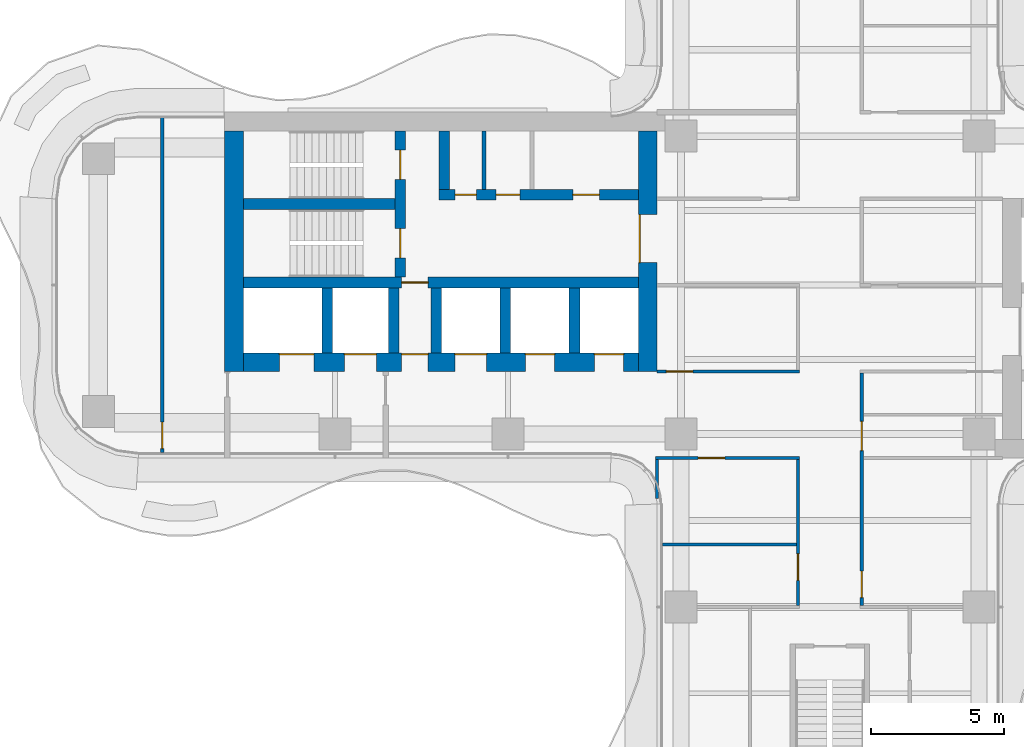
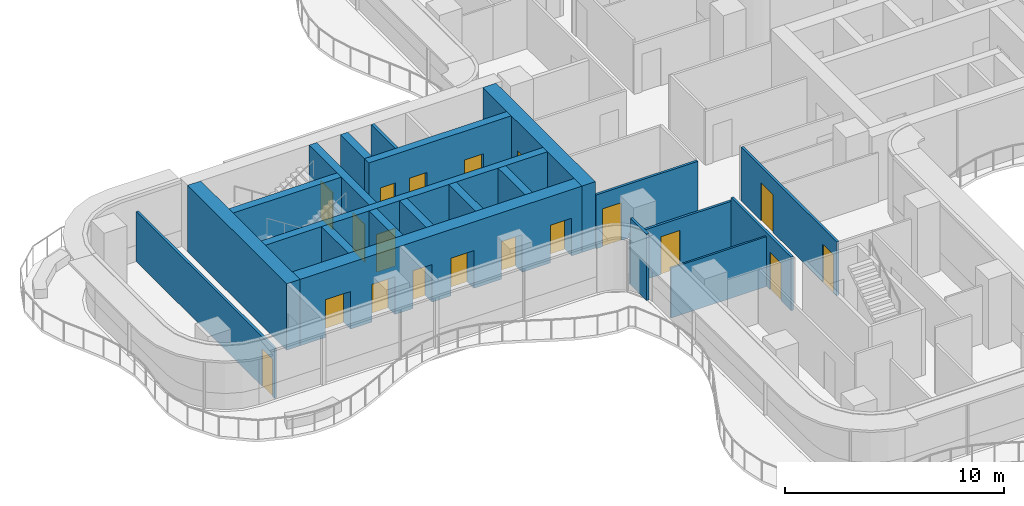
# One storey, part 12 of 17: 21 walls, 19 doors, 19 openings.
"""IFC4 building model written with IfcOpenShell, lengths in metres."""

from ifc_helpers import new_model, si_unit, direction, frame, frame_2d, origin, place, context, subcontext, project, spatial, rectangle, extrude, source, transform, mapped, material, layer, layer_set, type_object, element, fill, save


model = new_model("IFC4")

# Units and contexts
model_context = context("Model", 3, precision=1e-05, world=origin(), true_north=direction((0.0, 1.0)))
body_context = subcontext(model_context, "Body", "Model", "MODEL_VIEW")
ifc_project = project(units=[si_unit("LENGTHUNIT", "METRE"), si_unit("AREAUNIT", "SQUARE_METRE"), si_unit("VOLUMEUNIT", "CUBIC_METRE"), si_unit("PLANEANGLEUNIT", "RADIAN"), si_unit("MASSUNIT", "GRAM", prefix="KILO")], contexts=[model_context])

# Site, building, storey
site_placement = place(None, origin())
site = spatial("IfcSite", under=ifc_project, at=site_placement, CompositionType="ELEMENT")
building_placement = place(site_placement, origin())
building = spatial("IfcBuilding", under=site, at=building_placement, Name="Trellis Farm Tower", CompositionType="ELEMENT")
storey_placement = place(building_placement, frame((0.0, 0.0, 181.5)))
storey = spatial("IfcBuildingStorey", under=building, at=storey_placement, Name="L39", CompositionType="ELEMENT", Elevation=181.5)

# Wall, opening, door
ifc_material_1 = material(Name="Concrete C70/85", Category="concrete")
ifc_layer_1 = layer(ifc_material_1, 0.699951171875)
ifc_layer_set_1 = layer_set([ifc_layer_1], Name="CORE OUTER WALL 700 CONCRETE C70/85")
wall_type_1 = type_object("IfcWallType", Name="CORE OUTER WALL 700 CONCRETE C70/85", PredefinedType="SHEAR", material=ifc_layer_set_1)
shared_shape_1 = source(origin(), body_context, "Body", "SweptSolid", [
    extrude(rectangle(XDim=9.050048828125, YDim=0.699951171875, at=frame_2d((4.52490234375, 0.0))), origin(), (0.0, 0.0, 1.0), 3.699951171875),
])
wall_1_placement = place(storey_placement, frame((-6.85009765625, 5.800048828125, 0.0), z_axis=(0.0, 0.0, 1.0), x_axis=(0.0, -1.0, 0.0)))
wall_1 = element("IfcWall", 1, at=wall_1_placement, inside=storey, type_object=wall_type_1, Name="Core wall", PredefinedType="SHEAR", context=body_context, shape_type="MappedRepresentation", body=[
    mapped(shared_shape_1, transform((0.0, 0.0, 0.0))),
])
shared_shape_2 = source(origin(), body_context, "Body", "SweptSolid", [
    extrude(rectangle(XDim=1.800048828125, YDim=2.10009765625, at=frame_2d((0.89990234375, 1.050048828125))), frame((0.0, 0.360107421875, 0.0), z_axis=(0.0, -1.0, 0.0), x_axis=(1.0, 0.0, 0.0)), (0.0, 0.0, 1.0), 0.72021484375),
])
opening_1_placement = place(wall_1_placement, frame((3.14990234375, 0.0, 0.0)))
opening_1 = element("IfcOpeningElement", 2, at=opening_1_placement, cuts=wall_1, Name="Opening DC87", PredefinedType="OPENING", context=body_context, shape_type="MappedRepresentation", body=[
    mapped(shared_shape_2, transform((0.0, 0.0, 0.0))),
])
ifc_material_2 = material(Name="Steel", Category="steel")
door_type_1 = type_object("IfcDoorType", Name="CORE FIRE DOOR DOUBLE 1800 X 2100", OperationType="DOUBLE_DOOR_SINGLE_SWING", PredefinedType="DOOR", material=ifc_material_2)
shared_shape_3 = source(origin(), body_context, "Body", "SweptSolid", [
    extrude(rectangle(XDim=1.800048828125, YDim=2.10009765625, at=frame_2d((0.89990234375, 1.050048828125))), frame((0.0, -0.27490234375, 0.0), z_axis=(0.0, -1.0, 0.0), x_axis=(1.0, 0.0, 0.0)), (0.0, 0.0, 1.0), 0.050048828125),
])
door_1_placement = place(opening_1_placement, origin())
door_1 = element("IfcDoor", 3, at=door_1_placement, inside=storey, type_object=door_type_1, Name="Core door", OperationType="DOUBLE_DOOR_SINGLE_SWING", OverallHeight=2.10009765625, OverallWidth=1.800048828125, PredefinedType="DOOR", context=body_context, shape_type="MappedRepresentation", body=[
    mapped(shared_shape_3, transform((0.0, 0.0, 0.0))),
])
fill(opening_1, door_1)

# Walls
wall_2_placement = place(storey_placement, frame((-22.39990234375, 5.800048828125, 0.0), z_axis=(0.0, 0.0, 1.0), x_axis=(0.0, -1.0, 0.0)))
element("IfcWall", 4, at=wall_2_placement, inside=storey, type_object=wall_type_1, Name="Core wall", PredefinedType="SHEAR", context=body_context, shape_type="MappedRepresentation", body=[
    mapped(shared_shape_1, transform((0.0, 0.0, 0.0))),
])
ifc_layer_2 = layer(ifc_material_1, 0.39990234375)
ifc_layer_set_2 = layer_set([ifc_layer_2], Name="CORE INNER WALL 400 CONCRETE C70/85")
wall_type_2 = type_object("IfcWallType", Name="CORE INNER WALL 400 CONCRETE C70/85", PredefinedType="SHEAR", material=ifc_layer_set_2)
shared_shape_4 = source(origin(), body_context, "Body", "SweptSolid", [
    extrude(rectangle(XDim=2.449951171875, YDim=0.39990234375, at=frame_2d((1.22509765625, 0.0))), origin(), (0.0, 0.0, 1.0), 3.699951171875),
])
for number, where, z_axis, x_axis, name in (
    (5, (-9.60009765625, -0.10009765625, 0.0), (0.0, 0.0, 1.0), (0.0, -1.0, 0.0), "Core wall"),
    (6, (-12.199951171875, -0.10009765625, 0.0), (0.0, 0.0, 1.0), (0.0, -1.0, 0.0), "Core wall"),
    (7, (-14.800048828125, -0.10009765625, 0.0), (0.0, 0.0, 1.0), (0.0, -1.0, 0.0), "Core wall"),
    (8, (-16.39990234375, -0.10009765625, 0.0), (0.0, 0.0, 1.0), (0.0, -1.0, 0.0), "Core wall"),
    (9, (-18.89990234375, -0.10009765625, 0.0), (0.0, 0.0, 1.0), (0.0, -1.0, 0.0), "Core wall"),
):
    element("IfcWall", number, at=place(storey_placement, frame(where, z_axis=z_axis, x_axis=x_axis)), inside=storey, type_object=wall_type_2, Name=name, PredefinedType="SHEAR", context=body_context, shape_type="MappedRepresentation", body=[
        mapped(shared_shape_4, transform((0.0, 0.0, 0.0))),
    ])

# Wall, openings, doors
shared_shape_5 = source(origin(), body_context, "Body", "SweptSolid", [
    extrude(rectangle(XDim=14.85009765625, YDim=0.699951171875, at=frame_2d((7.425048828125, 0.0))), origin(), (0.0, 0.0, 1.0), 3.699951171875),
])
wall_3_placement = place(storey_placement, frame((-7.199951171875, -2.89990234375, 0.0), z_axis=(0.0, 0.0, 1.0), x_axis=(-1.0, 0.0, 0.0)))
wall_3 = element("IfcWall", 10, at=wall_3_placement, inside=storey, type_object=wall_type_1, Name="Core wall", PredefinedType="SHEAR", context=body_context, shape_type="MappedRepresentation", body=[
    mapped(shared_shape_5, transform((0.0, 0.0, 0.0))),
])
shared_shape_6 = source(origin(), body_context, "Body", "SweptSolid", [
    extrude(rectangle(XDim=1.10009765625, YDim=2.10009765625, at=frame_2d((0.550048828125, 1.050048828125))), frame((0.0, 0.360107421875, 0.0), z_axis=(0.0, -1.0, 0.0), x_axis=(1.0, 0.0, 0.0)), (0.0, 0.0, 1.0), 0.72021484375),
])
opening_2_placement = place(wall_3_placement, frame((0.550048828125, 0.0, 0.0)))
opening_2 = element("IfcOpeningElement", 11, at=opening_2_placement, cuts=wall_3, Name="Opening LD12", PredefinedType="OPENING", context=body_context, shape_type="MappedRepresentation", body=[
    mapped(shared_shape_6, transform((0.0, 0.0, 0.0))),
])
opening_3_placement = place(wall_3_placement, frame((3.14990234375, 0.0, 0.0)))
opening_3 = element("IfcOpeningElement", 12, at=opening_3_placement, cuts=wall_3, Name="Opening LD13", PredefinedType="OPENING", context=body_context, shape_type="MappedRepresentation", body=[
    mapped(shared_shape_6, transform((0.0, 0.0, 0.0))),
])
shared_shape_7 = source(origin(), body_context, "Body", "SweptSolid", [
    extrude(rectangle(XDim=1.199951171875, YDim=2.10009765625, at=frame_2d((0.60009765625, 1.050048828125))), frame((0.0, 0.360107421875, 0.0), z_axis=(0.0, -1.0, 0.0), x_axis=(1.0, 0.0, 0.0)), (0.0, 0.0, 1.0), 0.72021484375),
])
opening_4_placement = place(wall_3_placement, frame((5.699951171875, 0.0, 0.0)))
opening_4 = element("IfcOpeningElement", 13, at=opening_4_placement, cuts=wall_3, Name="Opening LD14", PredefinedType="OPENING", context=body_context, shape_type="MappedRepresentation", body=[
    mapped(shared_shape_7, transform((0.0, 0.0, 0.0))),
])
shared_shape_8 = source(origin(), body_context, "Body", "SweptSolid", [
    extrude(rectangle(XDim=1.300048828125, YDim=2.10009765625, at=frame_2d((0.64990234375, 1.050048828125))), frame((0.0, 0.360107421875, 0.0), z_axis=(0.0, -1.0, 0.0), x_axis=(1.0, 0.0, 0.0)), (0.0, 0.0, 1.0), 0.72021484375),
])
opening_5_placement = place(wall_3_placement, frame((12.199951171875, 0.0, 0.0)))
opening_5 = element("IfcOpeningElement", 14, at=opening_5_placement, cuts=wall_3, Name="Opening LD15", PredefinedType="OPENING", context=body_context, shape_type="MappedRepresentation", body=[
    mapped(shared_shape_8, transform((0.0, 0.0, 0.0))),
])
opening_6_placement = place(wall_3_placement, frame((9.85009765625, 0.0, 0.0)))
opening_6 = element("IfcOpeningElement", 15, at=opening_6_placement, cuts=wall_3, Name="Opening LD16", PredefinedType="OPENING", context=body_context, shape_type="MappedRepresentation", body=[
    mapped(shared_shape_7, transform((0.0, 0.0, 0.0))),
])
shared_shape_9 = source(origin(), body_context, "Body", "SweptSolid", [
    extrude(rectangle(XDim=1.0, YDim=2.10009765625, at=frame_2d((0.5, 1.050048828125))), frame((0.0, 0.360107421875, 0.0), z_axis=(0.0, -1.0, 0.0), x_axis=(1.0, 0.0, 0.0)), (0.0, 0.0, 1.0), 0.72021484375),
])
opening_7_placement = place(wall_3_placement, frame((7.89990234375, 0.0, 0.0)))
opening_7 = element("IfcOpeningElement", 16, at=opening_7_placement, cuts=wall_3, Name="Opening DC92", PredefinedType="OPENING", context=body_context, shape_type="MappedRepresentation", body=[
    mapped(shared_shape_9, transform((0.0, 0.0, 0.0))),
])
door_type_2 = type_object("IfcDoorType", Name="CORE FIRE DOOR 1000 X 2100", OperationType="NOTDEFINED", PredefinedType="DOOR", material=ifc_material_2)
shared_shape_10 = source(origin(), body_context, "Body", "SweptSolid", [
    extrude(rectangle(XDim=1.0, YDim=2.10009765625, at=frame_2d((0.5, 1.050048828125))), frame((0.0, -0.27490234375, 0.0), z_axis=(0.0, -1.0, 0.0), x_axis=(1.0, 0.0, 0.0)), (0.0, 0.0, 1.0), 0.050048828125),
])
door_2_placement = place(opening_7_placement, origin())
door_2 = element("IfcDoor", 17, at=door_2_placement, inside=storey, type_object=door_type_2, Name="Core door", OperationType="SINGLE_SWING_LEFT", OverallHeight=2.10009765625, OverallWidth=1.0, PredefinedType="DOOR", context=body_context, shape_type="MappedRepresentation", body=[
    mapped(shared_shape_10, transform((0.0, 0.0, 0.0))),
])
fill(opening_7, door_2)
ifc_material_3 = material(Name="Stainless steel", Category="steel")
door_type_3 = type_object("IfcDoorType", Name="LIFT LANDING DOOR 1300 X 2100", OperationType="DOUBLE_DOOR_SLIDING", PredefinedType="DOOR", material=ifc_material_3)
shared_shape_11 = source(origin(), body_context, "Body", "SweptSolid", [
    extrude(rectangle(XDim=1.300048828125, YDim=2.10009765625, at=frame_2d((0.64990234375, 1.050048828125))), frame((0.0, -0.27490234375, 0.0), z_axis=(0.0, -1.0, 0.0), x_axis=(1.0, 0.0, 0.0)), (0.0, 0.0, 1.0), 0.050048828125),
])
door_3_placement = place(opening_5_placement, origin())
door_3 = element("IfcDoor", 18, at=door_3_placement, inside=storey, type_object=door_type_3, Name="Lift landing door", OperationType="DOUBLE_DOOR_SLIDING", OverallHeight=2.10009765625, OverallWidth=1.300048828125, PredefinedType="DOOR", context=body_context, shape_type="MappedRepresentation", body=[
    mapped(shared_shape_11, transform((0.0, 0.0, 0.0))),
])
fill(opening_5, door_3)
door_type_4 = type_object("IfcDoorType", Name="LIFT LANDING DOOR 1200 X 2100", OperationType="DOUBLE_DOOR_SLIDING", PredefinedType="DOOR", material=ifc_material_3)
shared_shape_12 = source(origin(), body_context, "Body", "SweptSolid", [
    extrude(rectangle(XDim=1.199951171875, YDim=2.10009765625, at=frame_2d((0.60009765625, 1.050048828125))), frame((0.0, -0.27490234375, 0.0), z_axis=(0.0, -1.0, 0.0), x_axis=(1.0, 0.0, 0.0)), (0.0, 0.0, 1.0), 0.050048828125),
])
door_4_placement = place(opening_4_placement, origin())
door_4 = element("IfcDoor", 19, at=door_4_placement, inside=storey, type_object=door_type_4, Name="Lift landing door", OperationType="DOUBLE_DOOR_SLIDING", OverallHeight=2.10009765625, OverallWidth=1.199951171875, PredefinedType="DOOR", context=body_context, shape_type="MappedRepresentation", body=[
    mapped(shared_shape_12, transform((0.0, 0.0, 0.0))),
])
fill(opening_4, door_4)
door_5_placement = place(opening_6_placement, origin())
door_5 = element("IfcDoor", 20, at=door_5_placement, inside=storey, type_object=door_type_4, Name="Lift landing door", OperationType="DOUBLE_DOOR_SLIDING", OverallHeight=2.10009765625, OverallWidth=1.199951171875, PredefinedType="DOOR", context=body_context, shape_type="MappedRepresentation", body=[
    mapped(shared_shape_12, transform((0.0, 0.0, 0.0))),
])
fill(opening_6, door_5)
door_type_5 = type_object("IfcDoorType", Name="LIFT LANDING DOOR 1100 X 2100", OperationType="DOUBLE_DOOR_SLIDING", PredefinedType="DOOR", material=ifc_material_3)
shared_shape_13 = source(origin(), body_context, "Body", "SweptSolid", [
    extrude(rectangle(XDim=1.10009765625, YDim=2.10009765625, at=frame_2d((0.550048828125, 1.050048828125))), frame((0.0, -0.27490234375, 0.0), z_axis=(0.0, -1.0, 0.0), x_axis=(1.0, 0.0, 0.0)), (0.0, 0.0, 1.0), 0.050048828125),
])
door_6_placement = place(opening_2_placement, origin())
door_6 = element("IfcDoor", 21, at=door_6_placement, inside=storey, type_object=door_type_5, Name="Lift landing door", OperationType="DOUBLE_DOOR_SLIDING", OverallHeight=2.10009765625, OverallWidth=1.10009765625, PredefinedType="DOOR", context=body_context, shape_type="MappedRepresentation", body=[
    mapped(shared_shape_13, transform((0.0, 0.0, 0.0))),
])
fill(opening_2, door_6)
door_7_placement = place(opening_3_placement, origin())
door_7 = element("IfcDoor", 22, at=door_7_placement, inside=storey, type_object=door_type_5, Name="Lift landing door", OperationType="DOUBLE_DOOR_SLIDING", OverallHeight=2.10009765625, OverallWidth=1.10009765625, PredefinedType="DOOR", context=body_context, shape_type="MappedRepresentation", body=[
    mapped(shared_shape_13, transform((0.0, 0.0, 0.0))),
])
fill(opening_3, door_7)

shared_shape_14 = source(origin(), body_context, "Body", "SweptSolid", [
    extrude(rectangle(XDim=7.5, YDim=0.39990234375, at=frame_2d((3.75, 0.0))), origin(), (0.0, 0.0, 1.0), 3.699951171875),
])
wall_4_placement = place(storey_placement, frame((-7.199951171875, 3.39990234375, 0.0), z_axis=(0.0, 0.0, 1.0), x_axis=(-1.0, 0.0, 0.0)))
wall_4 = element("IfcWall", 23, at=wall_4_placement, inside=storey, type_object=wall_type_2, Name="Core wall", PredefinedType="SHEAR", context=body_context, shape_type="MappedRepresentation", body=[
    mapped(shared_shape_14, transform((0.0, 0.0, 0.0))),
])
shared_shape_15 = source(origin(), body_context, "Body", "SweptSolid", [
    extrude(rectangle(XDim=1.0, YDim=2.10009765625, at=frame_2d((0.5, 1.050048828125))), frame((0.0, 0.2099609375, 0.0), z_axis=(0.0, -1.0, 0.0), x_axis=(1.0, 0.0, 0.0)), (0.0, 0.0, 1.0), 0.419921875),
])
opening_8_placement = place(wall_4_placement, frame((1.46240234375, 0.0, 0.0)))
opening_8 = element("IfcOpeningElement", 24, at=opening_8_placement, cuts=wall_4, Name="Opening DC141", PredefinedType="OPENING", context=body_context, shape_type="MappedRepresentation", body=[
    mapped(shared_shape_15, transform((0.0, 0.0, 0.0))),
])
shared_shape_16 = source(origin(), body_context, "Body", "SweptSolid", [
    extrude(rectangle(XDim=0.89990234375, YDim=2.10009765625, at=frame_2d((0.449951171875, 1.050048828125))), frame((0.0, 0.2099609375, 0.0), z_axis=(0.0, -1.0, 0.0), x_axis=(1.0, 0.0, 0.0)), (0.0, 0.0, 1.0), 0.419921875),
])
opening_9_placement = place(wall_4_placement, frame((4.449951171875, 0.0, 0.0)))
opening_9 = element("IfcOpeningElement", 25, at=opening_9_placement, cuts=wall_4, Name="Opening DC146", PredefinedType="OPENING", context=body_context, shape_type="MappedRepresentation", body=[
    mapped(shared_shape_16, transform((0.0, 0.0, 0.0))),
])
shared_shape_17 = source(origin(), body_context, "Body", "SweptSolid", [
    extrude(rectangle(XDim=0.800048828125, YDim=2.10009765625, at=frame_2d((0.39990234375, 1.050048828125))), frame((0.0, 0.2099609375, 0.0), z_axis=(0.0, -1.0, 0.0), x_axis=(1.0, 0.0, 0.0)), (0.0, 0.0, 1.0), 0.419921875),
])
opening_10_placement = place(wall_4_placement, frame((6.08740234375, 0.0, 0.0)))
opening_10 = element("IfcOpeningElement", 26, at=opening_10_placement, cuts=wall_4, Name="Opening DC149", PredefinedType="OPENING", context=body_context, shape_type="MappedRepresentation", body=[
    mapped(shared_shape_17, transform((0.0, 0.0, 0.0))),
])
shared_shape_18 = source(origin(), body_context, "Body", "SweptSolid", [
    extrude(rectangle(XDim=1.0, YDim=2.10009765625, at=frame_2d((0.5, 1.050048828125))), frame((0.0, 0.02490234375, 0.0), z_axis=(0.0, -1.0, 0.0), x_axis=(1.0, 0.0, 0.0)), (0.0, 0.0, 1.0), 0.050048828125),
])
door_8_placement = place(opening_8_placement, origin())
door_8 = element("IfcDoor", 27, at=door_8_placement, inside=storey, type_object=door_type_2, Name="Core door", OperationType="SINGLE_SWING_LEFT", OverallHeight=2.10009765625, OverallWidth=1.0, PredefinedType="DOOR", context=body_context, shape_type="MappedRepresentation", body=[
    mapped(shared_shape_18, transform((0.0, 0.0, 0.0))),
])
fill(opening_8, door_8)
door_type_6 = type_object("IfcDoorType", Name="CORE FIRE DOOR 900 X 2100", OperationType="NOTDEFINED", PredefinedType="DOOR", material=ifc_material_2)
shared_shape_19 = source(origin(), body_context, "Body", "SweptSolid", [
    extrude(rectangle(XDim=0.89990234375, YDim=2.10009765625, at=frame_2d((0.449951171875, 1.050048828125))), frame((0.0, 0.02490234375, 0.0), z_axis=(0.0, -1.0, 0.0), x_axis=(1.0, 0.0, 0.0)), (0.0, 0.0, 1.0), 0.050048828125),
])
door_9_placement = place(opening_9_placement, origin())
door_9 = element("IfcDoor", 28, at=door_9_placement, inside=storey, type_object=door_type_6, Name="Core door", OperationType="SINGLE_SWING_RIGHT", OverallHeight=2.10009765625, OverallWidth=0.89990234375, PredefinedType="DOOR", context=body_context, shape_type="MappedRepresentation", body=[
    mapped(shared_shape_19, transform((0.0, 0.0, 0.0))),
])
fill(opening_9, door_9)
door_type_7 = type_object("IfcDoorType", Name="CORE FIRE DOOR 800 X 2100", OperationType="NOTDEFINED", PredefinedType="DOOR", material=ifc_material_2)
shared_shape_20 = source(origin(), body_context, "Body", "SweptSolid", [
    extrude(rectangle(XDim=0.800048828125, YDim=2.10009765625, at=frame_2d((0.39990234375, 1.050048828125))), frame((0.0, 0.02490234375, 0.0), z_axis=(0.0, -1.0, 0.0), x_axis=(1.0, 0.0, 0.0)), (0.0, 0.0, 1.0), 0.050048828125),
])
door_10_placement = place(opening_10_placement, origin())
door_10 = element("IfcDoor", 29, at=door_10_placement, inside=storey, type_object=door_type_7, Name="Core door", OperationType="SINGLE_SWING_LEFT", OverallHeight=2.10009765625, OverallWidth=0.800048828125, PredefinedType="DOOR", context=body_context, shape_type="MappedRepresentation", body=[
    mapped(shared_shape_20, transform((0.0, 0.0, 0.0))),
])
fill(opening_10, door_10)

# Wall, opening, door
shared_shape_21 = source(origin(), body_context, "Body", "SweptSolid", [
    extrude(rectangle(XDim=14.85009765625, YDim=0.39990234375, at=frame_2d((7.425048828125, 0.0))), origin(), (0.0, 0.0, 1.0), 3.699951171875),
])
wall_5_placement = place(storey_placement, frame((-7.199951171875, 0.10009765625, 0.0), z_axis=(0.0, 0.0, 1.0), x_axis=(-1.0, 0.0, 0.0)))
wall_5 = element("IfcWall", 30, at=wall_5_placement, inside=storey, type_object=wall_type_2, Name="Core wall", PredefinedType="SHEAR", context=body_context, shape_type="MappedRepresentation", body=[
    mapped(shared_shape_21, transform((0.0, 0.0, 0.0))),
])
opening_11_placement = place(wall_5_placement, frame((7.89990234375, 0.0, 0.0)))
opening_11 = element("IfcOpeningElement", 31, at=opening_11_placement, cuts=wall_5, Name="Opening DC91", PredefinedType="OPENING", context=body_context, shape_type="MappedRepresentation", body=[
    mapped(shared_shape_15, transform((0.0, 0.0, 0.0))),
])
door_11_placement = place(opening_11_placement, origin())
door_11 = element("IfcDoor", 32, at=door_11_placement, inside=storey, type_object=door_type_2, Name="Core door", OperationType="SINGLE_SWING_RIGHT", OverallHeight=2.10009765625, OverallWidth=1.0, PredefinedType="DOOR", context=body_context, shape_type="MappedRepresentation", body=[
    mapped(shared_shape_18, transform((0.0, 0.0, 0.0))),
])
fill(opening_11, door_11)

# Wall, openings, doors
shared_shape_22 = source(origin(), body_context, "Body", "SweptSolid", [
    extrude(rectangle(XDim=5.5, YDim=0.39990234375, at=frame_2d((2.75, 0.0))), origin(), (0.0, 0.0, 1.0), 3.699951171875),
])
wall_6_placement = place(storey_placement, frame((-16.14990234375, 5.800048828125, 0.0), z_axis=(0.0, 0.0, 1.0), x_axis=(0.0, -1.0, 0.0)))
wall_6 = element("IfcWall", 33, at=wall_6_placement, inside=storey, type_object=wall_type_2, Name="Core wall", PredefinedType="SHEAR", context=body_context, shape_type="MappedRepresentation", body=[
    mapped(shared_shape_22, transform((0.0, 0.0, 0.0))),
])
shared_shape_23 = source(origin(), body_context, "Body", "SweptSolid", [
    extrude(rectangle(XDim=1.10009765625, YDim=2.10009765625, at=frame_2d((0.550048828125, 1.050048828125))), frame((0.0, 0.2099609375, 0.0), z_axis=(0.0, -1.0, 0.0), x_axis=(1.0, 0.0, 0.0)), (0.0, 0.0, 1.0), 0.419921875),
])
opening_12_placement = place(wall_6_placement, frame((0.72509765625, 0.0, 0.0)))
opening_12 = element("IfcOpeningElement", 34, at=opening_12_placement, cuts=wall_6, Name="Opening DC88", PredefinedType="OPENING", context=body_context, shape_type="MappedRepresentation", body=[
    mapped(shared_shape_23, transform((0.0, 0.0, 0.0))),
])
opening_13_placement = place(wall_6_placement, frame((3.675048828125, 0.0, 0.0)))
opening_13 = element("IfcOpeningElement", 35, at=opening_13_placement, cuts=wall_6, Name="Opening DC89", PredefinedType="OPENING", context=body_context, shape_type="MappedRepresentation", body=[
    mapped(shared_shape_23, transform((0.0, 0.0, 0.0))),
])
door_type_8 = type_object("IfcDoorType", Name="CORE FIRE DOOR 1100 X 2100", OperationType="NOTDEFINED", PredefinedType="DOOR", material=ifc_material_2)
shared_shape_24 = source(origin(), body_context, "Body", "SweptSolid", [
    extrude(rectangle(XDim=1.10009765625, YDim=2.10009765625, at=frame_2d((0.550048828125, 1.050048828125))), frame((0.0, 0.02490234375, 0.0), z_axis=(0.0, -1.0, 0.0), x_axis=(1.0, 0.0, 0.0)), (0.0, 0.0, 1.0), 0.050048828125),
])
door_12_placement = place(opening_12_placement, origin())
door_12 = element("IfcDoor", 36, at=door_12_placement, inside=storey, type_object=door_type_8, Name="Core door", OperationType="SINGLE_SWING_RIGHT", OverallHeight=2.10009765625, OverallWidth=1.10009765625, PredefinedType="DOOR", context=body_context, shape_type="MappedRepresentation", body=[
    mapped(shared_shape_24, transform((0.0, 0.0, 0.0))),
])
fill(opening_12, door_12)
door_13_placement = place(opening_13_placement, origin())
door_13 = element("IfcDoor", 37, at=door_13_placement, inside=storey, type_object=door_type_8, Name="Core door", OperationType="SINGLE_SWING_LEFT", OverallHeight=2.10009765625, OverallWidth=1.10009765625, PredefinedType="DOOR", context=body_context, shape_type="MappedRepresentation", body=[
    mapped(shared_shape_24, transform((0.0, 0.0, 0.0))),
])
fill(opening_13, door_13)

# Walls
shared_shape_25 = source(origin(), body_context, "Body", "SweptSolid", [
    extrude(rectangle(XDim=5.699951171875, YDim=0.39990234375, at=frame_2d((2.85009765625, 0.0))), origin(), (0.0, 0.0, 1.0), 3.699951171875),
])
wall_7_placement = place(storey_placement, frame((-16.35009765625, 3.050048828125, 0.0), z_axis=(0.0, 0.0, 1.0), x_axis=(-1.0, 0.0, 0.0)))
element("IfcWall", 38, at=wall_7_placement, inside=storey, type_object=wall_type_2, Name="Core wall", PredefinedType="SHEAR", context=body_context, shape_type="MappedRepresentation", body=[
    mapped(shared_shape_25, transform((0.0, 0.0, 0.0))),
])
shared_shape_26 = source(origin(), body_context, "Body", "SweptSolid", [
    extrude(rectangle(XDim=2.199951171875, YDim=0.39990234375, at=frame_2d((1.10009765625, 0.0))), origin(), (0.0, 0.0, 1.0), 3.699951171875),
])
wall_8_placement = place(storey_placement, frame((-14.5, 5.800048828125, 0.0), z_axis=(0.0, 0.0, 1.0), x_axis=(0.0, -1.0, 0.0)))
element("IfcWall", 39, at=wall_8_placement, inside=storey, type_object=wall_type_2, Name="Core wall", PredefinedType="SHEAR", context=body_context, shape_type="MappedRepresentation", body=[
    mapped(shared_shape_26, transform((0.0, 0.0, 0.0))),
])
ifc_material_4 = material(Name="Masonry blockwork", Category="masonry")
ifc_layer_3 = layer(ifc_material_4, 0.14990234375)
ifc_layer_set_3 = layer_set([ifc_layer_3], Name="CORE PARTITION 150 BLOCKWORK")
wall_type_3 = type_object("IfcWallType", Name="CORE PARTITION 150 BLOCKWORK", PredefinedType="PARTITIONING", material=ifc_layer_set_3)
shared_shape_27 = source(origin(), body_context, "Body", "SweptSolid", [
    extrude(rectangle(XDim=2.199951171875, YDim=0.14990234375, at=frame_2d((1.10009765625, 0.0))), origin(), (0.0, 0.0, 1.0), 3.699951171875),
])
wall_9_placement = place(storey_placement, frame((-13.0, 5.800048828125, 0.0), z_axis=(0.0, 0.0, 1.0), x_axis=(0.0, -1.0, 0.0)))
element("IfcWall", 40, at=wall_9_placement, inside=storey, type_object=wall_type_3, Name="Core room partition", PredefinedType="PARTITIONING", context=body_context, shape_type="MappedRepresentation", body=[
    mapped(shared_shape_27, transform((0.0, 0.0, 0.0))),
])

# Wall, opening, door
ifc_material_5 = material(Name="Plasterboard on steel studs, mineral wool", Category="steel")
ifc_layer_4 = layer(ifc_material_5, 0.125)
ifc_layer_set_4 = layer_set([ifc_layer_4], Name="PARTITION 125 STUD EI 60")
wall_type_4 = type_object("IfcWallType", Name="PARTITION 125 STUD EI 60", PredefinedType="PARTITIONING", material=ifc_layer_set_4)
shared_shape_28 = source(origin(), body_context, "Body", "SweptSolid", [
    extrude(rectangle(XDim=5.47509765625, YDim=0.125, at=frame_2d((2.737548828125, 0.0))), origin(), (0.0, 0.0, 1.0), 2.99658203125),
])
wall_10_placement = place(storey_placement, frame((-1.199951171875, -6.5625, 0.0), z_axis=(0.0, 0.0, 1.0), x_axis=(0.0, -1.0, 0.0)))
wall_10 = element("IfcWall", 41, at=wall_10_placement, inside=storey, type_object=wall_type_4, Name="Partition PW1", PredefinedType="PARTITIONING", context=body_context, shape_type="MappedRepresentation", body=[
    mapped(shared_shape_28, transform((0.0, 0.0, 0.0))),
])
shared_shape_29 = source(origin(), body_context, "Body", "SweptSolid", [
    extrude(rectangle(XDim=1.0, YDim=2.10009765625, at=frame_2d((0.5, 1.050048828125))), frame((0.0, 0.072509765625, 0.0), z_axis=(0.0, -1.0, 0.0), x_axis=(1.0, 0.0, 0.0)), (0.0, 0.0, 1.0), 0.14501953125),
])
opening_14_placement = place(wall_10_placement, frame((3.53759765625, 0.0, 0.0)))
opening_14 = element("IfcOpeningElement", 42, at=opening_14_placement, cuts=wall_10, Name="Opening D105", PredefinedType="OPENING", context=body_context, shape_type="MappedRepresentation", body=[
    mapped(shared_shape_29, transform((0.0, 0.0, 0.0))),
])
ifc_material_6 = material(Name="Fire-rated timber door leaf in a hollow metal frame", Category="wood")
door_type_9 = type_object("IfcDoorType", Name="DOOR 1000x2100 FD30S", OperationType="NOTDEFINED", PredefinedType="DOOR", material=ifc_material_6)
door_14_placement = place(opening_14_placement, origin())
door_14 = element("IfcDoor", 43, at=door_14_placement, inside=storey, type_object=door_type_9, Name="Door D105", OperationType="SINGLE_SWING_LEFT", OverallHeight=2.10009765625, OverallWidth=1.0, PredefinedType="DOOR", context=body_context, shape_type="MappedRepresentation", body=[
    mapped(shared_shape_18, transform((0.0, 0.0, 0.0))),
])
fill(opening_14, door_14)

# Wall
shared_shape_30 = source(origin(), body_context, "Body", "SweptSolid", [
    extrude(rectangle(XDim=1.468994140625, YDim=0.125, at=frame_2d((0.734375, 0.0))), origin(), (0.0, 0.0, 1.0), 3.699951171875),
])
wall_11_placement = place(storey_placement, frame((-6.5, -6.5625, 0.0), z_axis=(0.0, 0.0, 1.0), x_axis=(0.0, -1.0, 0.0)))
element("IfcWall", 44, at=wall_11_placement, inside=storey, type_object=wall_type_4, Name="Partition PW1", PredefinedType="PARTITIONING", context=body_context, shape_type="MappedRepresentation", body=[
    mapped(shared_shape_30, transform((0.0, 0.0, 0.0))),
])

# Wall, opening, door
shared_shape_31 = source(origin(), body_context, "Body", "SweptSolid", [
    extrude(rectangle(XDim=12.60009765625, YDim=0.125, at=frame_2d((6.300048828125, 0.0))), origin(), (0.0, 0.0, 1.0), 2.780029296875),
])
wall_12_placement = place(storey_placement, frame((-25.10009765625, -6.300048828125, 0.0), z_axis=(0.0, 0.0, 1.0), x_axis=(0.0, 1.0, 0.0)))
wall_12 = element("IfcWall", 45, at=wall_12_placement, inside=storey, type_object=wall_type_4, Name="Partition PW1", PredefinedType="PARTITIONING", context=body_context, shape_type="MappedRepresentation", body=[
    mapped(shared_shape_31, transform((0.0, 0.0, 0.0))),
])
opening_15_placement = place(wall_12_placement, frame((0.14990234375, 0.0, 0.0)))
opening_15 = element("IfcOpeningElement", 46, at=opening_15_placement, cuts=wall_12, Name="Opening D107", PredefinedType="OPENING", context=body_context, shape_type="MappedRepresentation", body=[
    mapped(shared_shape_29, transform((0.0, 0.0, 0.0))),
])
door_15_placement = place(opening_15_placement, origin())
door_15 = element("IfcDoor", 47, at=door_15_placement, inside=storey, type_object=door_type_9, Name="Door D107", OperationType="SINGLE_SWING_LEFT", OverallHeight=2.10009765625, OverallWidth=1.0, PredefinedType="DOOR", context=body_context, shape_type="MappedRepresentation", body=[
    mapped(shared_shape_18, transform((0.0, 0.0, 0.0))),
])
fill(opening_15, door_15)

shared_shape_32 = source(origin(), body_context, "Body", "SweptSolid", [
    extrude(rectangle(XDim=5.362548828125, YDim=0.125, at=frame_2d((2.68115234375, 0.0))), origin(), (0.0, 0.0, 1.0), 2.99658203125),
])
wall_13_placement = place(storey_placement, frame((-1.137451171875, -3.25, 0.0), z_axis=(0.0, 0.0, 1.0), x_axis=(-1.0, 0.0, 0.0)))
wall_13 = element("IfcWall", 48, at=wall_13_placement, inside=storey, type_object=wall_type_4, Name="Partition PW1", PredefinedType="PARTITIONING", context=body_context, shape_type="MappedRepresentation", body=[
    mapped(shared_shape_32, transform((0.0, 0.0, 0.0))),
])
opening_16_placement = place(wall_13_placement, frame((4.012451171875, 0.0, 0.0)))
opening_16 = element("IfcOpeningElement", 49, at=opening_16_placement, cuts=wall_13, Name="Opening D109", PredefinedType="OPENING", context=body_context, shape_type="MappedRepresentation", body=[
    mapped(shared_shape_29, transform((0.0, 0.0, 0.0))),
])
door_16_placement = place(opening_16_placement, origin())
door_16 = element("IfcDoor", 50, at=door_16_placement, inside=storey, type_object=door_type_9, Name="Door D109", OperationType="SINGLE_SWING_RIGHT", OverallHeight=2.10009765625, OverallWidth=1.0, PredefinedType="DOOR", context=body_context, shape_type="MappedRepresentation", body=[
    mapped(shared_shape_18, transform((0.0, 0.0, 0.0))),
])
fill(opening_16, door_16)

# Wall, openings, doors
shared_shape_33 = source(origin(), body_context, "Body", "SweptSolid", [
    extrude(rectangle(XDim=8.72509765625, YDim=0.125, at=frame_2d((4.362548828125, 0.0))), origin(), (0.0, 0.0, 1.0), 2.99658203125),
])
wall_14_placement = place(storey_placement, frame((1.199951171875, -3.3125, 0.0), z_axis=(0.0, 0.0, 1.0), x_axis=(0.0, -1.0, 0.0)))
wall_14 = element("IfcWall", 51, at=wall_14_placement, inside=storey, type_object=wall_type_4, Name="Partition PW1", PredefinedType="PARTITIONING", context=body_context, shape_type="MappedRepresentation", body=[
    mapped(shared_shape_33, transform((0.0, 0.0, 0.0))),
])
opening_17_placement = place(wall_14_placement, frame((7.4375, 0.0, 0.0)))
opening_17 = element("IfcOpeningElement", 52, at=opening_17_placement, cuts=wall_14, Name="Opening D104", PredefinedType="OPENING", context=body_context, shape_type="MappedRepresentation", body=[
    mapped(shared_shape_29, transform((0.0, 0.0, 0.0))),
])
shared_shape_34 = source(origin(), body_context, "Body", "SweptSolid", [
    extrude(rectangle(XDim=1.10009765625, YDim=2.10009765625, at=frame_2d((0.550048828125, 1.050048828125))), frame((0.0, 0.072509765625, 0.0), z_axis=(0.0, -1.0, 0.0), x_axis=(1.0, 0.0, 0.0)), (0.0, 0.0, 1.0), 0.14501953125),
])
opening_18_placement = place(wall_14_placement, frame((1.8125, 0.0, 0.0)))
opening_18 = element("IfcOpeningElement", 53, at=opening_18_placement, cuts=wall_14, Name="Opening D501", PredefinedType="OPENING", context=body_context, shape_type="MappedRepresentation", body=[
    mapped(shared_shape_34, transform((0.0, 0.0, 0.0))),
])
door_type_10 = type_object("IfcDoorType", Name="DOOR 1100x2100 FD30S", OperationType="NOTDEFINED", PredefinedType="DOOR", material=ifc_material_6)
door_17_placement = place(opening_18_placement, origin())
door_17 = element("IfcDoor", 54, at=door_17_placement, inside=storey, type_object=door_type_10, Name="Door D501", OperationType="SINGLE_SWING_LEFT", OverallHeight=2.10009765625, OverallWidth=1.10009765625, PredefinedType="DOOR", context=body_context, shape_type="MappedRepresentation", body=[
    mapped(shared_shape_24, transform((0.0, 0.0, 0.0))),
])
fill(opening_18, door_17)
door_18_placement = place(opening_17_placement, origin())
door_18 = element("IfcDoor", 55, at=door_18_placement, inside=storey, type_object=door_type_9, Name="Door D104", OperationType="SINGLE_SWING_RIGHT", OverallHeight=2.10009765625, OverallWidth=1.0, PredefinedType="DOOR", context=body_context, shape_type="MappedRepresentation", body=[
    mapped(shared_shape_18, transform((0.0, 0.0, 0.0))),
])
fill(opening_17, door_18)

# Wall, opening, door
shared_shape_35 = source(origin(), body_context, "Body", "SweptSolid", [
    extrude(rectangle(XDim=5.425048828125, YDim=0.125, at=frame_2d((2.71240234375, 0.0))), origin(), (0.0, 0.0, 1.0), 2.780029296875),
])
wall_15_placement = place(storey_placement, frame((-1.137451171875, -6.5, 0.0), z_axis=(0.0, 0.0, 1.0), x_axis=(-1.0, 0.0, 0.0)))
wall_15 = element("IfcWall", 56, at=wall_15_placement, inside=storey, type_object=wall_type_4, Name="Partition PW1", PredefinedType="PARTITIONING", context=body_context, shape_type="MappedRepresentation", body=[
    mapped(shared_shape_35, transform((0.0, 0.0, 0.0))),
])
opening_19_placement = place(wall_15_placement, frame((2.8125, 0.0, 0.0)))
opening_19 = element("IfcOpeningElement", 57, at=opening_19_placement, cuts=wall_15, Name="Opening D106", PredefinedType="OPENING", context=body_context, shape_type="MappedRepresentation", body=[
    mapped(shared_shape_29, transform((0.0, 0.0, 0.0))),
])
door_19_placement = place(opening_19_placement, origin())
door_19 = element("IfcDoor", 58, at=door_19_placement, inside=storey, type_object=door_type_9, Name="Door D106", OperationType="SINGLE_SWING_RIGHT", OverallHeight=2.10009765625, OverallWidth=1.0, PredefinedType="DOOR", context=body_context, shape_type="MappedRepresentation", body=[
    mapped(shared_shape_18, transform((0.0, 0.0, 0.0))),
])
fill(opening_19, door_19)

# Wall
ifc_material_7 = material(Name="Plasterboard on steel studs", Category="steel")
ifc_layer_5 = layer(ifc_material_7, 0.10009765625)
ifc_layer_set_5 = layer_set([ifc_layer_5], Name="PARTITION 100 STUD EI 30")
wall_type_5 = type_object("IfcWallType", Name="PARTITION 100 STUD EI 30", PredefinedType="PARTITIONING", material=ifc_layer_set_5)
shared_shape_36 = source(origin(), body_context, "Body", "SweptSolid", [
    extrude(rectangle(XDim=5.03759765625, YDim=0.10009765625, at=frame_2d((2.518798828125, 0.0))), origin(), (0.0, 0.0, 1.0), 2.780029296875),
])
wall_16_placement = place(storey_placement, frame((-6.300048828125, -9.75, 0.0), z_axis=(0.0, 0.0, 1.0), x_axis=(1.0, 0.0, 0.0)))
element("IfcWall", 59, at=wall_16_placement, inside=storey, type_object=wall_type_5, Name="Partition PW2", PredefinedType="PARTITIONING", context=body_context, shape_type="MappedRepresentation", body=[
    mapped(shared_shape_36, transform((0.0, 0.0, 0.0))),
])

save(model, "model.ifc")
